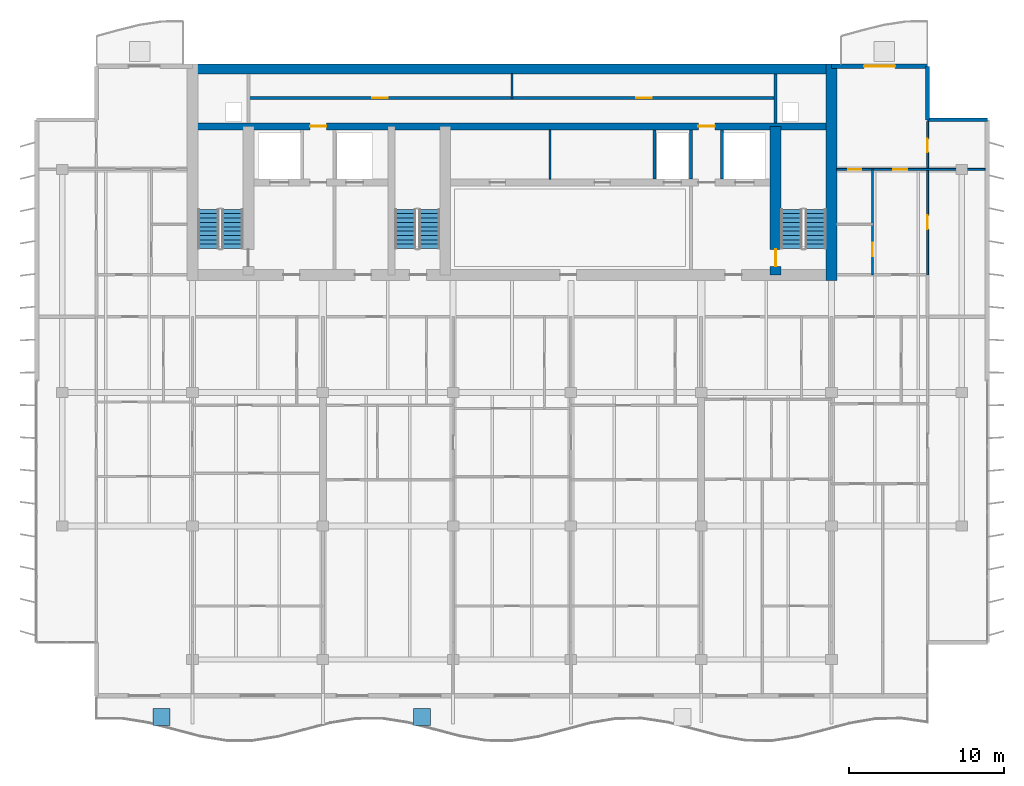
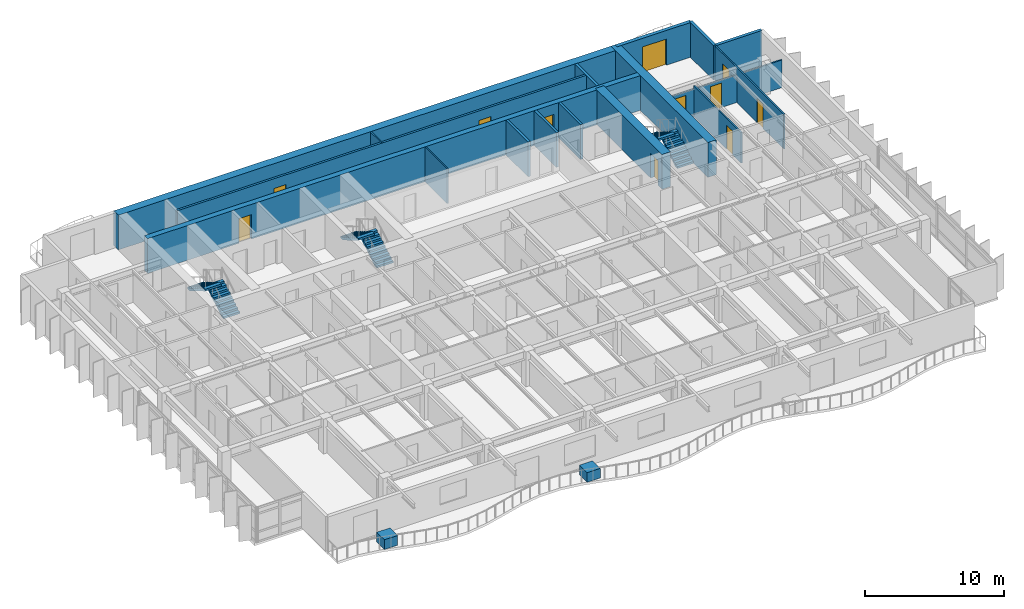
# One storey, part 12 of 19: 17 walls, 11 doors, 6 stair flights, 2 discrete accessories, 11 openings, 3 elements without a shape of their own.
"""IFC4 building model written with IfcOpenShell, lengths in metres."""

from ifc_helpers import new_model, si_unit, direction, frame, frame_2d, origin, origin_2d, place, context, subcontext, project, spatial, polyline, rectangle, outline, extrude, material, layer, layer_set, type_object, element, fill, aggregate, save


model = new_model("IFC4")

# Units and contexts
model_context = context("Model", 3, precision=1e-05, world=origin(), true_north=direction((0.0, 1.0)))
body_context = subcontext(model_context, "Body", "Model", "MODEL_VIEW")
ifc_project = project(units=[si_unit("LENGTHUNIT", "METRE"), si_unit("AREAUNIT", "SQUARE_METRE"), si_unit("VOLUMEUNIT", "CUBIC_METRE"), si_unit("PLANEANGLEUNIT", "RADIAN"), si_unit("MASSUNIT", "GRAM", prefix="KILO")], contexts=[model_context])

# Site, building, storey
site_placement = place(None, origin())
site = spatial("IfcSite", under=ifc_project, at=site_placement, CompositionType="ELEMENT")
building_placement = place(site_placement, origin())
building = spatial("IfcBuilding", under=site, at=building_placement, Name="Caelmar Bay Residences", CompositionType="ELEMENT")
storey_placement = place(building_placement, frame((0.0, 0.0, 256.199951171875)))
storey = spatial("IfcBuildingStorey", under=building, at=storey_placement, Name="L72", CompositionType="ELEMENT", Elevation=256.199951171875)

# Wall
ifc_material_1 = material(Name="Concrete f'c 55 MPa (8,000 psi)", Category="concrete")
ifc_layer_1 = layer(ifc_material_1, 0.699951171875)
ifc_layer_set_1 = layer_set([ifc_layer_1], Name="Concrete f'c 55 MPa (8,000 psi)")
wall_type_1 = type_object("IfcWallType", Name="SW-COR-700", PredefinedType="SHEAR", material=ifc_layer_set_1)
wall_1_placement = place(storey_placement, frame((59.5, 36.64990234375, 0.0), z_axis=(0.0, 0.0, 1.0), x_axis=(0.0, 1.0, 0.0)))
element("IfcWall", 1, at=wall_1_placement, inside=storey, type_object=wall_type_1, Name="L72 Rear Core East Shear Wall", PredefinedType="SHEAR", context=body_context, shape_type="SweptSolid", body=[
    extrude(rectangle(XDim=13.9501953125, YDim=0.699951171875, at=frame_2d((6.97509765625, 0.0))), origin(), (0.0, 0.0, 1.0), 3.050048828125),
])

# Wall, opening, door
wall_2_placement = place(storey_placement, frame((55.89990234375, 37.0, 0.0), z_axis=(0.0, 0.0, 1.0), x_axis=(0.0, 1.0, 0.0)))
wall_2 = element("IfcWall", 2, at=wall_2_placement, inside=storey, type_object=wall_type_1, Name="L72 Core Structural Web Wall ST2W", PredefinedType="SHEAR", context=body_context, shape_type="SweptSolid", body=[
    extrude(rectangle(XDim=9.574951171875, YDim=0.699951171875, at=frame_2d((4.78759765625, 0.0))), origin(), (0.0, 0.0, 1.0), 3.050048828125),
])
opening_1_placement = place(wall_2_placement, frame((0.550048828125, 0.0, 0.0)))
opening_1 = element("IfcOpeningElement", 3, at=opening_1_placement, cuts=wall_2, Name="Opening D-L72-110", PredefinedType="OPENING", context=body_context, shape_type="SweptSolid", body=[
    extrude(rectangle(XDim=1.10009765625, YDim=2.14990234375, at=frame_2d((0.550048828125, 1.074951171875))), frame((0.0, 0.35986328125, 0.0), z_axis=(0.0, -1.0, 0.0), x_axis=(1.0, 0.0, 0.0)), (0.0, 0.0, 1.0), 0.719970703125),
])
ifc_material_2 = material(Name="Fire-rated steel and walnut architectural door assembly", Category="steel")
ifc_layer_2 = layer(ifc_material_2, 0.050048828125)
ifc_layer_set_2 = layer_set([ifc_layer_2], Name="Fire-rated steel and walnut architectural door assembly")
door_type_1 = type_object("IfcDoorType", Name="D-STAIR-1100", OperationType="NOTDEFINED", PredefinedType="DOOR", material=ifc_layer_set_2)
door_1_placement = place(opening_1_placement, origin())
door_1 = element("IfcDoor", 4, at=door_1_placement, inside=storey, type_object=door_type_1, Name="L72 Firefighting Lobby East Door", OperationType="SINGLE_SWING_RIGHT", OverallHeight=2.14990234375, OverallWidth=1.10009765625, PredefinedType="DOOR", context=body_context, shape_type="SweptSolid", body=[
    extrude(rectangle(XDim=1.10009765625, YDim=2.14990234375, at=frame_2d((0.550048828125, 1.074951171875))), frame((0.0, 0.02490234375, 0.0), z_axis=(0.0, -1.0, 0.0), x_axis=(1.0, 0.0, 0.0)), (0.0, 0.0, 1.0), 0.050048828125),
])
fill(opening_1, door_1)

# Wall
ifc_layer_3 = layer(ifc_material_1, 0.64990234375)
ifc_layer_set_3 = layer_set([ifc_layer_3], Name="Concrete f'c 55 MPa (8,000 psi)")
wall_type_2 = type_object("IfcWallType", Name="SW-CORN-650", PredefinedType="SHEAR", material=ifc_layer_set_3)
wall_3_placement = place(storey_placement, frame((17.949951171875, 50.27490234375, 0.0), z_axis=(0.0, 0.0, 1.0), x_axis=(1.0, 0.0, 0.0)))
element("IfcWall", 5, at=wall_3_placement, inside=storey, type_object=wall_type_2, Name="L72 Rear Core North Shear Wall", PredefinedType="SHEAR", context=body_context, shape_type="SweptSolid", body=[
    extrude(rectangle(XDim=41.900146484375, YDim=0.64990234375, at=frame_2d((20.9501953125, 0.0))), origin(), (0.0, 0.0, 1.0), 3.050048828125),
])

# Wall, openings, doors
ifc_material_3 = material(Name="Concrete f'c 70 MPa (10,000 psi)", Category="concrete")
ifc_layer_4 = layer(ifc_material_3, 0.449951171875)
ifc_layer_set_4 = layer_set([ifc_layer_4], Name="Concrete f'c 70 MPa (10,000 psi)")
wall_type_3 = type_object("IfcWallType", Name="SW-WEB-450", PredefinedType="SHEAR", material=ifc_layer_set_4)
wall_4_placement = place(storey_placement, frame((18.300048828125, 46.574951171875, 0.0), z_axis=(0.0, 0.0, 1.0), x_axis=(1.0, 0.0, 0.0)))
wall_4 = element("IfcWall", 6, at=wall_4_placement, inside=storey, type_object=wall_type_3, Name="L72 Core Structural Web Wall SRVS", PredefinedType="SHEAR", context=body_context, shape_type="SweptSolid", body=[
    extrude(rectangle(XDim=41.199951171875, YDim=0.449951171875, at=frame_2d((20.60009765625, 0.0))), origin(), (0.0, 0.0, 1.0), 3.050048828125),
])
opening_2_placement = place(wall_4_placement, frame((7.574951171875, 0.0, 0.0)))
opening_2 = element("IfcOpeningElement", 7, at=opening_2_placement, cuts=wall_4, Name="Opening D-L72-116", PredefinedType="OPENING", context=body_context, shape_type="SweptSolid", body=[
    extrude(rectangle(XDim=1.050048828125, YDim=2.14990234375, at=frame_2d((0.52490234375, 1.074951171875))), frame((0.0, 0.23486328125, 0.0), z_axis=(0.0, -1.0, 0.0), x_axis=(1.0, 0.0, 0.0)), (0.0, 0.0, 1.0), 0.469970703125),
])
opening_3_placement = place(wall_4_placement, frame((32.625, 0.0, 0.0)))
opening_3 = element("IfcOpeningElement", 8, at=opening_3_placement, cuts=wall_4, Name="Opening D-L72-117", PredefinedType="OPENING", context=body_context, shape_type="SweptSolid", body=[
    extrude(rectangle(XDim=1.050048828125, YDim=2.14990234375, at=frame_2d((0.52490234375, 1.074951171875))), frame((0.0, 0.23486328125, 0.0), z_axis=(0.0, -1.0, 0.0), x_axis=(1.0, 0.0, 0.0)), (0.0, 0.0, 1.0), 0.469970703125),
])
ifc_layer_5 = layer(ifc_material_2, 0.050048828125)
ifc_layer_set_5 = layer_set([ifc_layer_5], Name="Fire-rated steel and walnut architectural door assembly")
door_type_2 = type_object("IfcDoorType", Name="D-FSAE-1050", OperationType="NOTDEFINED", PredefinedType="DOOR", material=ifc_layer_set_5)
door_2_placement = place(opening_2_placement, origin())
door_2 = element("IfcDoor", 9, at=door_2_placement, inside=storey, type_object=door_type_2, Name="L72 Core Service Corridor Door", OperationType="SINGLE_SWING_RIGHT", OverallHeight=2.14990234375, OverallWidth=1.050048828125, PredefinedType="DOOR", context=body_context, shape_type="SweptSolid", body=[
    extrude(rectangle(XDim=1.050048828125, YDim=2.14990234375, at=frame_2d((0.52490234375, 1.074951171875))), frame((0.0, 0.02490234375, 0.0), z_axis=(0.0, -1.0, 0.0), x_axis=(1.0, 0.0, 0.0)), (0.0, 0.0, 1.0), 0.050048828125),
])
fill(opening_2, door_2)
door_3_placement = place(opening_3_placement, origin())
door_3 = element("IfcDoor", 10, at=door_3_placement, inside=storey, type_object=door_type_2, Name="L72 Core Service Corridor Door", OperationType="SINGLE_SWING_LEFT", OverallHeight=2.14990234375, OverallWidth=1.050048828125, PredefinedType="DOOR", context=body_context, shape_type="SweptSolid", body=[
    extrude(rectangle(XDim=1.050048828125, YDim=2.14990234375, at=frame_2d((0.52490234375, 1.074951171875))), frame((0.0, 0.02490234375, 0.0), z_axis=(0.0, -1.0, 0.0), x_axis=(1.0, 0.0, 0.0)), (0.0, 0.0, 1.0), 0.050048828125),
])
fill(opening_3, door_3)

ifc_material_4 = material(Name="Double-stud acoustic fire-rated gypsum partition 180 mm")
ifc_layer_6 = layer(ifc_material_4, 0.179931640625)
ifc_layer_set_6 = layer_set([ifc_layer_6], Name="Double-stud acoustic fire-rated gypsum partition 180 mm")
wall_type_4 = type_object("IfcWallType", Name="W-COR-200", PredefinedType="PARTITIONING", material=ifc_layer_set_6)
wall_5_placement = place(storey_placement, frame((21.89990234375, 48.39990234375, 0.0), z_axis=(0.0, 0.0, 1.0), x_axis=(1.0, 0.0, 0.0)))
wall_5 = element("IfcWall", 11, at=wall_5_placement, inside=storey, type_object=wall_type_4, Name="L72 Partition Wall H095", PredefinedType="PARTITIONING", context=body_context, shape_type="SweptSolid", body=[
    extrude(rectangle(XDim=34.0, YDim=0.179931640625, at=frame_2d((17.0, 0.0))), origin(), (0.0, 0.0, 1.0), 3.050048828125),
])
opening_4_placement = place(wall_5_placement, frame((8.0, 0.0, 0.0)))
opening_4 = element("IfcOpeningElement", 12, at=opening_4_placement, cuts=wall_5, Name="Opening D-L72-118", PredefinedType="OPENING", context=body_context, shape_type="SweptSolid", body=[
    extrude(rectangle(XDim=1.0, YDim=2.199951171875, at=frame_2d((0.5, 1.10009765625))), frame((0.0, 0.099853515625, 0.0), z_axis=(0.0, -1.0, 0.0), x_axis=(1.0, 0.0, 0.0)), (0.0, 0.0, 1.0), 0.199951171875),
])
opening_5_placement = place(wall_5_placement, frame((25.0, 0.0, 0.0)))
opening_5 = element("IfcOpeningElement", 13, at=opening_5_placement, cuts=wall_5, Name="Opening D-L72-119", PredefinedType="OPENING", context=body_context, shape_type="SweptSolid", body=[
    extrude(rectangle(XDim=1.0, YDim=2.199951171875, at=frame_2d((0.5, 1.10009765625))), frame((0.0, 0.099853515625, 0.0), z_axis=(0.0, -1.0, 0.0), x_axis=(1.0, 0.0, 0.0)), (0.0, 0.0, 1.0), 0.199951171875),
])
ifc_layer_7 = layer(ifc_material_2, 0.050048828125)
ifc_layer_set_7 = layer_set([ifc_layer_7], Name="Fire-rated steel and walnut architectural door assembly")
door_type_3 = type_object("IfcDoorType", Name="D-UNIT-1000", OperationType="NOTDEFINED", PredefinedType="DOOR", material=ifc_layer_set_7)
door_4_placement = place(opening_4_placement, origin())
door_4 = element("IfcDoor", 14, at=door_4_placement, inside=storey, type_object=door_type_3, Name="L72 Building Management Office Door", OperationType="SINGLE_SWING_RIGHT", OverallHeight=2.199951171875, OverallWidth=1.0, PredefinedType="DOOR", context=body_context, shape_type="SweptSolid", body=[
    extrude(rectangle(XDim=1.0, YDim=2.199951171875, at=frame_2d((0.5, 1.10009765625))), frame((0.0, 0.02490234375, 0.0), z_axis=(0.0, -1.0, 0.0), x_axis=(1.0, 0.0, 0.0)), (0.0, 0.0, 1.0), 0.050048828125),
])
fill(opening_4, door_4)
door_5_placement = place(opening_5_placement, origin())
door_5 = element("IfcDoor", 15, at=door_5_placement, inside=storey, type_object=door_type_3, Name="L72 Concierge Operations Office Door", OperationType="SINGLE_SWING_LEFT", OverallHeight=2.199951171875, OverallWidth=1.0, PredefinedType="DOOR", context=body_context, shape_type="SweptSolid", body=[
    extrude(rectangle(XDim=1.0, YDim=2.199951171875, at=frame_2d((0.5, 1.10009765625))), frame((0.0, 0.02490234375, 0.0), z_axis=(0.0, -1.0, 0.0), x_axis=(1.0, 0.0, 0.0)), (0.0, 0.0, 1.0), 0.050048828125),
])
fill(opening_5, door_5)

# Walls
ifc_material_5 = material(Name="Precast concrete f'c 40 MPa (6,000 psi)", Category="concrete")
ifc_layer_8 = layer(ifc_material_5, 0.25)
ifc_layer_set_8 = layer_set([ifc_layer_8], Name="Precast concrete f'c 40 MPa (6,000 psi)")
wall_type_5 = type_object("IfcWallType", Name="W-EXT-250", PredefinedType="ELEMENTEDWALL", material=ifc_layer_set_8)
wall_6_placement = place(storey_placement, frame((65.699951171875, 50.449951171875, 0.0), z_axis=(0.0, 0.0, 1.0), x_axis=(0.0, -1.0, 0.0)))
element("IfcWall", 16, at=wall_6_placement, inside=storey, type_object=wall_type_5, Name="L72 NNE-V Notch Wall", PredefinedType="ELEMENTEDWALL", context=body_context, shape_type="SweptSolid", body=[
    extrude(rectangle(XDim=3.449951171875, YDim=0.25, at=frame_2d((1.72509765625, 0.0))), origin(), (0.0, 0.0, 1.0), 3.050048828125),
])
wall_7_placement = place(storey_placement, frame((65.699951171875, 47.0, 0.0), z_axis=(0.0, 0.0, 1.0), x_axis=(1.0, 0.0, 0.0)))
element("IfcWall", 17, at=wall_7_placement, inside=storey, type_object=wall_type_5, Name="L72 NNE-H Notch Wall", PredefinedType="ELEMENTEDWALL", context=body_context, shape_type="SweptSolid", body=[
    extrude(rectangle(XDim=3.85009765625, YDim=0.25, at=frame_2d((1.925048828125, 0.0))), origin(), (0.0, 0.0, 1.0), 3.050048828125),
])

# Wall, opening, door
ifc_layer_9 = layer(ifc_material_5, 0.300048828125)
ifc_layer_set_9 = layer_set([ifc_layer_9], Name="Precast concrete f'c 40 MPa (6,000 psi)")
wall_type_6 = type_object("IfcWallType", Name="W-EXT-300", PredefinedType="STANDARD", material=ifc_layer_set_9)
wall_8_placement = place(storey_placement, frame((59.5, 50.449951171875, 0.0), z_axis=(0.0, 0.0, 1.0), x_axis=(1.0, 0.0, 0.0)))
wall_8 = element("IfcWall", 18, at=wall_8_placement, inside=storey, type_object=wall_type_6, Name="L72 North-East Wing Exterior Wall", PredefinedType="STANDARD", context=body_context, shape_type="SweptSolid", body=[
    extrude(rectangle(XDim=6.199951171875, YDim=0.300048828125, at=frame_2d((3.10009765625, 0.0))), origin(), (0.0, 0.0, 1.0), 3.050048828125),
])
opening_6_placement = place(wall_8_placement, frame((2.10009765625, 0.0, 0.0)))
opening_6 = element("IfcOpeningElement", 19, at=opening_6_placement, cuts=wall_8, Name="Opening L72-BDNE", PredefinedType="OPENING", context=body_context, shape_type="SweptSolid", body=[
    extrude(rectangle(XDim=2.0, YDim=2.300048828125, at=frame_2d((1.0, 1.14990234375))), frame((0.0, 0.159912109375, 0.0), z_axis=(0.0, -1.0, 0.0), x_axis=(1.0, 0.0, 0.0)), (0.0, 0.0, 1.0), 0.320068359375),
])
ifc_material_6 = material(Name="Anodised bronze thermally broken sliding glass door", Category="glass")
ifc_layer_10 = layer(ifc_material_6, 0.050048828125)
ifc_layer_set_10 = layer_set([ifc_layer_10], Name="Anodised bronze thermally broken sliding glass door")
door_type_4 = type_object("IfcDoorType", Name="D-BAL-2000", OperationType="DOUBLE_DOOR_SLIDING", PredefinedType="DOOR", material=ifc_layer_set_10)
door_6_placement = place(opening_6_placement, origin())
door_6 = element("IfcDoor", 20, at=door_6_placement, inside=storey, type_object=door_type_4, Name="L72 North-East Balcony Door", OperationType="DOUBLE_DOOR_SLIDING", OverallHeight=2.300048828125, OverallWidth=2.0, PredefinedType="DOOR", context=body_context, shape_type="SweptSolid", body=[
    extrude(rectangle(XDim=2.0, YDim=2.300048828125, at=frame_2d((1.0, 1.14990234375))), frame((0.0, 0.02490234375, 0.0), z_axis=(0.0, -1.0, 0.0), x_axis=(1.0, 0.0, 0.0)), (0.0, 0.0, 1.0), 0.050048828125),
])
fill(opening_6, door_6)

# Walls
ifc_material_7 = material(Name="Fire-rated masonry and gypsum shaftliner assembly 200 mm", Category="masonry")
ifc_layer_11 = layer(ifc_material_7, 0.199951171875)
ifc_layer_set_11 = layer_set([ifc_layer_11], Name="Fire-rated masonry and gypsum shaftliner assembly 200 mm")
wall_type_7 = type_object("IfcWallType", Name="W-FSAE-200", PredefinedType="PARTITIONING", material=ifc_layer_set_11)
for number, where, z_axis, x_axis, name in (
    (21, (48.10009765625, 43.169921875, 0.0), (0.0, 0.0, 1.0), (0.0, 1.0, 0.0), "L72 Partition Wall V039"),
    (22, (50.449951171875, 43.169921875, 0.0), (0.0, 0.0, 1.0), (0.0, 1.0, 0.0), "L72 Partition Wall V042"),
    (23, (52.449951171875, 43.169921875, 0.0), (0.0, 0.0, 1.0), (0.0, 1.0, 0.0), "L72 Partition Wall V046"),
):
    element("IfcWall", number, at=place(storey_placement, frame(where, z_axis=z_axis, x_axis=x_axis)), inside=storey, type_object=wall_type_7, Name=name, PredefinedType="PARTITIONING", context=body_context, shape_type="SweptSolid", body=[
        extrude(rectangle(XDim=3.18505859375, YDim=0.199951171875, at=frame_2d((1.592529296875, 0.0))), origin(), (0.0, 0.0, 1.0), 3.050048828125),
    ])
wall_9_placement = place(storey_placement, frame((55.89990234375, 46.794921875, 0.0), z_axis=(0.0, 0.0, 1.0), x_axis=(0.0, 1.0, 0.0)))
element("IfcWall", 24, at=wall_9_placement, inside=storey, type_object=wall_type_7, Name="L72 Partition Wall V052", PredefinedType="PARTITIONING", context=body_context, shape_type="SweptSolid", body=[
    extrude(rectangle(XDim=3.16015625, YDim=0.199951171875, at=frame_2d((1.580078125, 0.0))), origin(), (0.0, 0.0, 1.0), 3.050048828125),
])
ifc_material_8 = material(Name="Anodised bronze framed acoustic sliding study partition 100 mm")
ifc_layer_12 = layer(ifc_material_8, 0.10009765625)
ifc_layer_set_12 = layer_set([ifc_layer_12], Name="Anodised bronze framed acoustic sliding study partition 100 mm")
wall_type_8 = type_object("IfcWallType", Name="W-MOV-100", PredefinedType="MOVABLE", material=ifc_layer_set_12)
wall_10_placement = place(storey_placement, frame((41.35009765625, 43.169921875, 0.0), z_axis=(0.0, 0.0, 1.0), x_axis=(0.0, 1.0, 0.0)))
element("IfcWall", 25, at=wall_10_placement, inside=storey, type_object=wall_type_8, Name="L72 Partition Wall V033", PredefinedType="MOVABLE", context=body_context, shape_type="SweptSolid", body=[
    extrude(rectangle(XDim=3.18505859375, YDim=0.10009765625, at=frame_2d((1.592529296875, 0.0))), origin(), (0.0, 0.0, 1.0), 3.050048828125),
])
ifc_material_9 = material(Name="Acoustic metal-stud gypsum partition 120 mm")
ifc_layer_13 = layer(ifc_material_9, 0.1201171875)
ifc_layer_set_13 = layer_set([ifc_layer_13], Name="Acoustic metal-stud gypsum partition 120 mm")
wall_type_9 = type_object("IfcWallType", Name="W-PRT-120", PredefinedType="PARTITIONING", material=ifc_layer_set_13)
wall_11_placement = place(storey_placement, frame((38.89990234375, 48.39990234375, 0.0), z_axis=(0.0, 0.0, 1.0), x_axis=(0.0, 1.0, 0.0)))
element("IfcWall", 26, at=wall_11_placement, inside=storey, type_object=wall_type_9, Name="L72 Partition Wall V030", PredefinedType="PARTITIONING", context=body_context, shape_type="SweptSolid", body=[
    extrude(rectangle(XDim=1.55517578125, YDim=0.1201171875, at=frame_2d((0.777587890625, 0.0))), origin(), (0.0, 0.0, 1.0), 3.050048828125),
])

# Wall, opening, door
wall_12_placement = place(storey_placement, frame((62.14990234375, 37.0, 0.0), z_axis=(0.0, 0.0, 1.0), x_axis=(0.0, 1.0, 0.0)))
wall_12 = element("IfcWall", 27, at=wall_12_placement, inside=storey, type_object=wall_type_9, Name="L72 Partition Wall V059", PredefinedType="PARTITIONING", context=body_context, shape_type="SweptSolid", body=[
    extrude(rectangle(XDim=6.800048828125, YDim=0.1201171875, at=frame_2d((3.39990234375, 0.0))), origin(), (0.0, 0.0, 1.0), 2.678955078125),
])
opening_7_placement = place(wall_12_placement, frame((1.20703125, 0.0, 0.0)))
opening_7 = element("IfcOpeningElement", 28, at=opening_7_placement, cuts=wall_12, Name="Opening D-L72-166", PredefinedType="OPENING", context=body_context, shape_type="SweptSolid", body=[
    extrude(rectangle(XDim=0.85009765625, YDim=2.10009765625, at=frame_2d((0.425048828125, 1.050048828125))), frame((0.0, 0.070068359375, 0.0), z_axis=(0.0, -1.0, 0.0), x_axis=(1.0, 0.0, 0.0)), (0.0, 0.0, 1.0), 0.14013671875),
])
ifc_material_10 = material(Name="Solid walnut timber interior door leaf and frame", Category="wood")
ifc_layer_14 = layer(ifc_material_10, 0.050048828125)
ifc_layer_set_14 = layer_set([ifc_layer_14], Name="Solid walnut timber interior door leaf and frame")
door_type_5 = type_object("IfcDoorType", Name="D-BATH-850", OperationType="NOTDEFINED", PredefinedType="DOOR", material=ifc_layer_set_14)
door_7_placement = place(opening_7_placement, origin())
door_7 = element("IfcDoor", 29, at=door_7_placement, inside=storey, type_object=door_type_5, Name="L72 Residence EA Walk-In Closet Door", OperationType="SINGLE_SWING_RIGHT", OverallHeight=2.10009765625, OverallWidth=0.85009765625, PredefinedType="DOOR", context=body_context, shape_type="SweptSolid", body=[
    extrude(rectangle(XDim=0.85009765625, YDim=2.10009765625, at=frame_2d((0.425048828125, 1.050048828125))), frame((0.0, 0.02490234375, 0.0), z_axis=(0.0, -1.0, 0.0), x_axis=(1.0, 0.0, 0.0)), (0.0, 0.0, 1.0), 0.050048828125),
])
fill(opening_7, door_7)

# Wall, openings, doors
wall_13_placement = place(storey_placement, frame((65.699951171875, 37.0048828125, 0.0), z_axis=(0.0, 0.0, 1.0), x_axis=(0.0, 1.0, 0.0)))
wall_13 = element("IfcWall", 30, at=wall_13_placement, inside=storey, type_object=wall_type_9, Name="L72 Partition Wall V068", PredefinedType="PARTITIONING", context=body_context, shape_type="SweptSolid", body=[
    extrude(rectangle(XDim=9.875, YDim=0.1201171875, at=frame_2d((4.9375, 0.0))), origin(), (0.0, 0.0, 1.0), 3.050048828125),
])
opening_8_placement = place(wall_13_placement, frame((2.947509765625, 0.0, 0.0)))
opening_8 = element("IfcOpeningElement", 31, at=opening_8_placement, cuts=wall_13, Name="Opening D-L72-168", PredefinedType="OPENING", context=body_context, shape_type="SweptSolid", body=[
    extrude(rectangle(XDim=0.89990234375, YDim=2.14990234375, at=frame_2d((0.449951171875, 1.074951171875))), frame((0.0, 0.070068359375, 0.0), z_axis=(0.0, -1.0, 0.0), x_axis=(1.0, 0.0, 0.0)), (0.0, 0.0, 1.0), 0.14013671875),
])
opening_9_placement = place(wall_13_placement, frame((7.885009765625, 0.0, 0.0)))
opening_9 = element("IfcOpeningElement", 32, at=opening_9_placement, cuts=wall_13, Name="Opening D-L72-169", PredefinedType="OPENING", context=body_context, shape_type="SweptSolid", body=[
    extrude(rectangle(XDim=0.89990234375, YDim=2.14990234375, at=frame_2d((0.449951171875, 1.074951171875))), frame((0.0, 0.070068359375, 0.0), z_axis=(0.0, -1.0, 0.0), x_axis=(1.0, 0.0, 0.0)), (0.0, 0.0, 1.0), 0.14013671875),
])
ifc_layer_15 = layer(ifc_material_10, 0.050048828125)
ifc_layer_set_15 = layer_set([ifc_layer_15], Name="Solid walnut timber interior door leaf and frame")
door_type_6 = type_object("IfcDoorType", Name="D-ROOM-900", OperationType="NOTDEFINED", PredefinedType="DOOR", material=ifc_layer_set_15)
door_8_placement = place(opening_8_placement, origin())
door_8 = element("IfcDoor", 33, at=door_8_placement, inside=storey, type_object=door_type_6, Name="L72 Residence EA Sun Study Door", OperationType="SINGLE_SWING_RIGHT", OverallHeight=2.14990234375, OverallWidth=0.89990234375, PredefinedType="DOOR", context=body_context, shape_type="SweptSolid", body=[
    extrude(rectangle(XDim=0.89990234375, YDim=2.14990234375, at=frame_2d((0.449951171875, 1.074951171875))), frame((0.0, 0.02490234375, 0.0), z_axis=(0.0, -1.0, 0.0), x_axis=(1.0, 0.0, 0.0)), (0.0, 0.0, 1.0), 0.050048828125),
])
fill(opening_8, door_8)
door_9_placement = place(opening_9_placement, origin())
door_9 = element("IfcDoor", 34, at=door_9_placement, inside=storey, type_object=door_type_6, Name="L72 Residence EA North Sitting Alcove Door", OperationType="SINGLE_SWING_LEFT", OverallHeight=2.14990234375, OverallWidth=0.89990234375, PredefinedType="DOOR", context=body_context, shape_type="SweptSolid", body=[
    extrude(rectangle(XDim=0.89990234375, YDim=2.14990234375, at=frame_2d((0.449951171875, 1.074951171875))), frame((0.0, 0.02490234375, 0.0), z_axis=(0.0, -1.0, 0.0), x_axis=(1.0, 0.0, 0.0)), (0.0, 0.0, 1.0), 0.050048828125),
])
fill(opening_9, door_9)

wall_14_placement = place(storey_placement, frame((59.844970703125, 43.800048828125, 0.0), z_axis=(0.0, 0.0, 1.0), x_axis=(1.0, 0.0, 0.0)))
wall_14 = element("IfcWall", 35, at=wall_14_placement, inside=storey, type_object=wall_type_9, Name="L72 Partition Wall H094", PredefinedType="PARTITIONING", context=body_context, shape_type="SweptSolid", body=[
    extrude(rectangle(XDim=9.56005859375, YDim=0.1201171875, at=frame_2d((4.780029296875, 0.0))), origin(), (0.0, 0.0, 1.0), 2.41796875),
])
opening_10_placement = place(wall_14_placement, frame((3.6298828125, 0.0, 0.0)))
opening_10 = element("IfcOpeningElement", 36, at=opening_10_placement, cuts=wall_14, Name="Opening D-L72-165", PredefinedType="OPENING", context=body_context, shape_type="SweptSolid", body=[
    extrude(rectangle(XDim=0.89990234375, YDim=2.14990234375, at=frame_2d((0.449951171875, 1.074951171875))), frame((0.0, 0.070068359375, 0.0), z_axis=(0.0, -1.0, 0.0), x_axis=(1.0, 0.0, 0.0)), (0.0, 0.0, 1.0), 0.14013671875),
])
opening_11_placement = place(wall_14_placement, frame((0.7275390625, 0.0, 0.0)))
opening_11 = element("IfcOpeningElement", 37, at=opening_11_placement, cuts=wall_14, Name="Opening D-L72-167", PredefinedType="OPENING", context=body_context, shape_type="SweptSolid", body=[
    extrude(rectangle(XDim=0.85009765625, YDim=2.10009765625, at=frame_2d((0.425048828125, 1.050048828125))), frame((0.0, 0.070068359375, 0.0), z_axis=(0.0, -1.0, 0.0), x_axis=(1.0, 0.0, 0.0)), (0.0, 0.0, 1.0), 0.14013671875),
])
door_10_placement = place(opening_11_placement, origin())
door_10 = element("IfcDoor", 38, at=door_10_placement, inside=storey, type_object=door_type_5, Name="L72 Residence EA Bathroom Door", OperationType="SINGLE_SWING_LEFT", OverallHeight=2.10009765625, OverallWidth=0.85009765625, PredefinedType="DOOR", context=body_context, shape_type="SweptSolid", body=[
    extrude(rectangle(XDim=0.85009765625, YDim=2.10009765625, at=frame_2d((0.425048828125, 1.050048828125))), frame((0.0, 0.02490234375, 0.0), z_axis=(0.0, -1.0, 0.0), x_axis=(1.0, 0.0, 0.0)), (0.0, 0.0, 1.0), 0.050048828125),
])
fill(opening_11, door_10)
door_11_placement = place(opening_10_placement, origin())
door_11 = element("IfcDoor", 39, at=door_11_placement, inside=storey, type_object=door_type_6, Name="L72 Residence EA Studio Living and Sleeping Room Door", OperationType="SINGLE_SWING_LEFT", OverallHeight=2.14990234375, OverallWidth=0.89990234375, PredefinedType="DOOR", context=body_context, shape_type="SweptSolid", body=[
    extrude(rectangle(XDim=0.89990234375, YDim=2.14990234375, at=frame_2d((0.449951171875, 1.074951171875))), frame((0.0, 0.02490234375, 0.0), z_axis=(0.0, -1.0, 0.0), x_axis=(1.0, 0.0, 0.0)), (0.0, 0.0, 1.0), 0.050048828125),
])
fill(opening_10, door_11)

# Stair, stair flights
ifc_material_11 = material(Name="Concrete f'c 40 MPa (6,000 psi)", Category="concrete")
stair_type = type_object("IfcStairType", Name="ST-TYP-165", PredefinedType="HALF_TURN_STAIR", material=ifc_material_11)
stair_1_placement = place(storey_placement, origin())
stair_1 = element("IfcStair", 40, at=stair_1_placement, inside=storey, type_object=stair_type, Name="L72 West Smokeproof Exit Stair ST1", PredefinedType="HALF_TURN_STAIR")
stair_flight_type = type_object("IfcStairFlightType", Name="STF-1350", PredefinedType="STRAIGHT", material=ifc_material_11)
stair_flight_1_placement = place(storey_placement, frame((20.875, 38.699951171875, 0.0), z_axis=(0.0, 0.0, 1.0), x_axis=(0.0, 1.0, 0.0)))
stair_flight_1 = element("IfcStairFlight", 41, at=stair_flight_1_placement, type_object=stair_flight_type, Name="ST1 flight 1", NumberOfRisers=10, NumberOfTreads=9, PredefinedType="STRAIGHT", RiserHeight=0.165, TreadLength=0.28, context=body_context, shape_type="SweptSolid", body=[
    extrude(outline(polyline([(0.0, 0.0), (0.0, 0.1650390625), (0.280029296875, 0.1650390625), (0.280029296875, 0.330078125), (0.56005859375, 0.330078125), (0.56005859375, 0.4951171875), (0.840087890625, 0.4951171875), (0.840087890625, 0.659912109375), (1.1201171875, 0.659912109375), (1.1201171875, 0.824951171875), (1.39990234375, 0.824951171875), (1.39990234375, 0.989990234375), (1.679931640625, 0.989990234375), (1.679931640625, 1.155029296875), (1.9599609375, 1.155029296875), (1.9599609375, 1.320068359375), (2.239990234375, 1.320068359375), (2.239990234375, 1.485107421875), (2.52001953125, 1.485107421875), (2.52001953125, 1.64990234375), (2.52001953125, 1.31103515625), (0.295166015625, 0.0), (0.0, 0.0)])), frame((0.0, 0.675048828125, 0.0), z_axis=(0.0, -1.0, 0.0), x_axis=(1.0, 0.0, 0.0)), (0.0, 0.0, 1.0), 1.35009765625),
])
stair_flight_2_placement = place(storey_placement, frame((19.324951171875, 41.219970703125, 1.650146484375), z_axis=(0.0, 0.0, 1.0), x_axis=(0.0, -1.0, 0.0)))
stair_flight_2 = element("IfcStairFlight", 42, at=stair_flight_2_placement, type_object=stair_flight_type, Name="ST1 flight 2", NumberOfRisers=10, NumberOfTreads=9, PredefinedType="STRAIGHT", RiserHeight=0.165, TreadLength=0.28, context=body_context, shape_type="SweptSolid", body=[
    extrude(outline(polyline([(0.0, 0.0), (0.0, 0.1650390625), (0.280029296875, 0.1650390625), (0.280029296875, 0.330078125), (0.56005859375, 0.330078125), (0.56005859375, 0.4951171875), (0.840087890625, 0.4951171875), (0.840087890625, 0.659912109375), (1.1201171875, 0.659912109375), (1.1201171875, 0.824951171875), (1.39990234375, 0.824951171875), (1.39990234375, 0.989990234375), (1.679931640625, 0.989990234375), (1.679931640625, 1.155029296875), (1.9599609375, 1.155029296875), (1.9599609375, 1.320068359375), (2.239990234375, 1.320068359375), (2.239990234375, 1.485107421875), (2.52001953125, 1.485107421875), (2.52001953125, 1.64990234375), (2.52001953125, 1.31103515625), (0.295166015625, 0.0), (0.0, 0.0)])), frame((0.0, 0.675048828125, 0.0), z_axis=(0.0, -1.0, 0.0), x_axis=(1.0, 0.0, 0.0)), (0.0, 0.0, 1.0), 1.35009765625),
])
aggregate(stair_1, [stair_flight_1, stair_flight_2])

stair_2_placement = place(storey_placement, origin())
stair_2 = element("IfcStair", 43, at=stair_2_placement, inside=storey, type_object=stair_type, Name="L72 East Smokeproof Exit Stair ST2", PredefinedType="HALF_TURN_STAIR")
stair_flight_3_placement = place(storey_placement, frame((58.47509765625, 38.699951171875, 0.0), z_axis=(0.0, 0.0, 1.0), x_axis=(0.0, 1.0, 0.0)))
stair_flight_3 = element("IfcStairFlight", 44, at=stair_flight_3_placement, type_object=stair_flight_type, Name="ST2 flight 1", NumberOfRisers=10, NumberOfTreads=9, PredefinedType="STRAIGHT", RiserHeight=0.165, TreadLength=0.28, context=body_context, shape_type="SweptSolid", body=[
    extrude(outline(polyline([(0.0, 0.0), (0.0, 0.1650390625), (0.280029296875, 0.1650390625), (0.280029296875, 0.330078125), (0.56005859375, 0.330078125), (0.56005859375, 0.4951171875), (0.840087890625, 0.4951171875), (0.840087890625, 0.659912109375), (1.1201171875, 0.659912109375), (1.1201171875, 0.824951171875), (1.39990234375, 0.824951171875), (1.39990234375, 0.989990234375), (1.679931640625, 0.989990234375), (1.679931640625, 1.155029296875), (1.9599609375, 1.155029296875), (1.9599609375, 1.320068359375), (2.239990234375, 1.320068359375), (2.239990234375, 1.485107421875), (2.52001953125, 1.485107421875), (2.52001953125, 1.64990234375), (2.52001953125, 1.31103515625), (0.295166015625, 0.0), (0.0, 0.0)])), frame((0.0, 0.675048828125, 0.0), z_axis=(0.0, -1.0, 0.0), x_axis=(1.0, 0.0, 0.0)), (0.0, 0.0, 1.0), 1.35009765625),
])
stair_flight_4_placement = place(storey_placement, frame((56.925048828125, 41.219970703125, 1.650146484375), z_axis=(0.0, 0.0, 1.0), x_axis=(0.0, -1.0, 0.0)))
stair_flight_4 = element("IfcStairFlight", 45, at=stair_flight_4_placement, type_object=stair_flight_type, Name="ST2 flight 2", NumberOfRisers=10, NumberOfTreads=9, PredefinedType="STRAIGHT", RiserHeight=0.165, TreadLength=0.28, context=body_context, shape_type="SweptSolid", body=[
    extrude(outline(polyline([(0.0, 0.0), (0.0, 0.1650390625), (0.280029296875, 0.1650390625), (0.280029296875, 0.330078125), (0.56005859375, 0.330078125), (0.56005859375, 0.4951171875), (0.840087890625, 0.4951171875), (0.840087890625, 0.659912109375), (1.1201171875, 0.659912109375), (1.1201171875, 0.824951171875), (1.39990234375, 0.824951171875), (1.39990234375, 0.989990234375), (1.679931640625, 0.989990234375), (1.679931640625, 1.155029296875), (1.9599609375, 1.155029296875), (1.9599609375, 1.320068359375), (2.239990234375, 1.320068359375), (2.239990234375, 1.485107421875), (2.52001953125, 1.485107421875), (2.52001953125, 1.64990234375), (2.52001953125, 1.31103515625), (0.295166015625, 0.0), (0.0, 0.0)])), frame((0.0, 0.675048828125, 0.0), z_axis=(0.0, -1.0, 0.0), x_axis=(1.0, 0.0, 0.0)), (0.0, 0.0, 1.0), 1.35009765625),
])
aggregate(stair_2, [stair_flight_3, stair_flight_4])

stair_3_placement = place(storey_placement, origin())
stair_3 = element("IfcStair", 46, at=stair_3_placement, inside=storey, type_object=stair_type, Name="L72 Central Smokeproof Exit Stair ST3", PredefinedType="HALF_TURN_STAIR")
stair_flight_5_placement = place(storey_placement, frame((33.574951171875, 38.699951171875, 0.0), z_axis=(0.0, 0.0, 1.0), x_axis=(0.0, 1.0, 0.0)))
stair_flight_5 = element("IfcStairFlight", 47, at=stair_flight_5_placement, type_object=stair_flight_type, Name="ST3 flight 1", NumberOfRisers=10, NumberOfTreads=9, PredefinedType="STRAIGHT", RiserHeight=0.165, TreadLength=0.28, context=body_context, shape_type="SweptSolid", body=[
    extrude(outline(polyline([(0.0, 0.0), (0.0, 0.1650390625), (0.280029296875, 0.1650390625), (0.280029296875, 0.330078125), (0.56005859375, 0.330078125), (0.56005859375, 0.4951171875), (0.840087890625, 0.4951171875), (0.840087890625, 0.659912109375), (1.1201171875, 0.659912109375), (1.1201171875, 0.824951171875), (1.39990234375, 0.824951171875), (1.39990234375, 0.989990234375), (1.679931640625, 0.989990234375), (1.679931640625, 1.155029296875), (1.9599609375, 1.155029296875), (1.9599609375, 1.320068359375), (2.239990234375, 1.320068359375), (2.239990234375, 1.485107421875), (2.52001953125, 1.485107421875), (2.52001953125, 1.64990234375), (2.52001953125, 1.31103515625), (0.295166015625, 0.0), (0.0, 0.0)])), frame((0.0, 0.675048828125, 0.0), z_axis=(0.0, -1.0, 0.0), x_axis=(1.0, 0.0, 0.0)), (0.0, 0.0, 1.0), 1.35009765625),
])
stair_flight_6_placement = place(storey_placement, frame((32.02490234375, 41.219970703125, 1.650146484375), z_axis=(0.0, 0.0, 1.0), x_axis=(0.0, -1.0, 0.0)))
stair_flight_6 = element("IfcStairFlight", 48, at=stair_flight_6_placement, type_object=stair_flight_type, Name="ST3 flight 2", NumberOfRisers=10, NumberOfTreads=9, PredefinedType="STRAIGHT", RiserHeight=0.165, TreadLength=0.28, context=body_context, shape_type="SweptSolid", body=[
    extrude(outline(polyline([(0.0, 0.0), (0.0, 0.1650390625), (0.280029296875, 0.1650390625), (0.280029296875, 0.330078125), (0.56005859375, 0.330078125), (0.56005859375, 0.4951171875), (0.840087890625, 0.4951171875), (0.840087890625, 0.659912109375), (1.1201171875, 0.659912109375), (1.1201171875, 0.824951171875), (1.39990234375, 0.824951171875), (1.39990234375, 0.989990234375), (1.679931640625, 0.989990234375), (1.679931640625, 1.155029296875), (1.9599609375, 1.155029296875), (1.9599609375, 1.320068359375), (2.239990234375, 1.320068359375), (2.239990234375, 1.485107421875), (2.52001953125, 1.485107421875), (2.52001953125, 1.64990234375), (2.52001953125, 1.31103515625), (0.295166015625, 0.0), (0.0, 0.0)])), frame((0.0, 0.675048828125, 0.0), z_axis=(0.0, -1.0, 0.0), x_axis=(1.0, 0.0, 0.0)), (0.0, 0.0, 1.0), 1.35009765625),
])
aggregate(stair_3, [stair_flight_5, stair_flight_6])

# Discrete accessories
ifc_material_12 = material(Name="Architectural bronze GRC planter trough with volcanic-lapilli substrate")
discrete_accessory_type = type_object("IfcDiscreteAccessoryType", Name="ACC-PLANTER-1100", PredefinedType="USERDEFINED", material=ifc_material_12)
for number, where, z_axis, x_axis, name in (
    (49, (16.300048828125, 8.481689453125, 0.0), (0.0, 0.0, 1.0), (1.0, 0.0, 0.0), "L72 Balcony Structural Tree Planter 1"),
    (50, (33.10009765625, 8.481689453125, 0.0), (0.0, 0.0, 1.0), (1.0, 0.0, 0.0), "L72 Balcony Structural Tree Planter 2"),
):
    element("IfcDiscreteAccessory", number, at=place(storey_placement, frame(where, z_axis=z_axis, x_axis=x_axis)), inside=storey, type_object=discrete_accessory_type, Name=name, ObjectType="PLANTER", PredefinedType="USERDEFINED", context=body_context, shape_type="SweptSolid", body=[
        extrude(rectangle(XDim=1.10009765625, YDim=1.10009765625, at=origin_2d()), origin(), (0.0, 0.0, 1.0), 0.85009765625),
    ])

save(model, "model.ifc")
